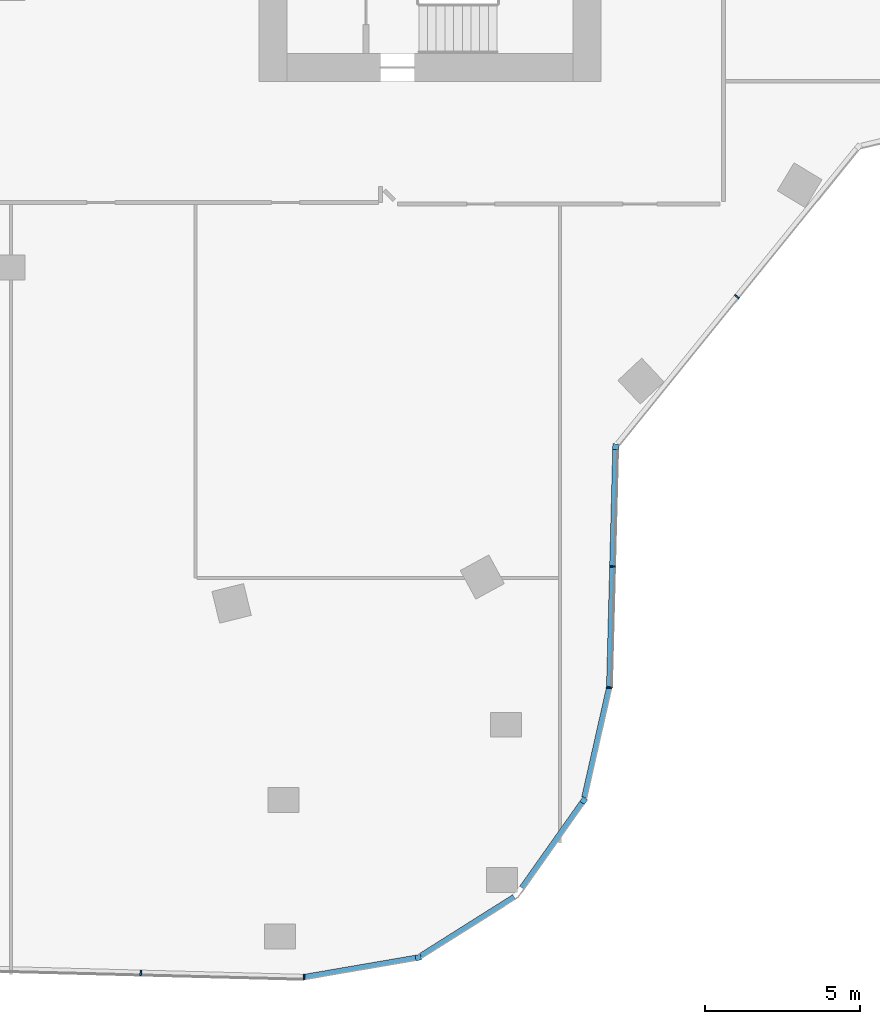
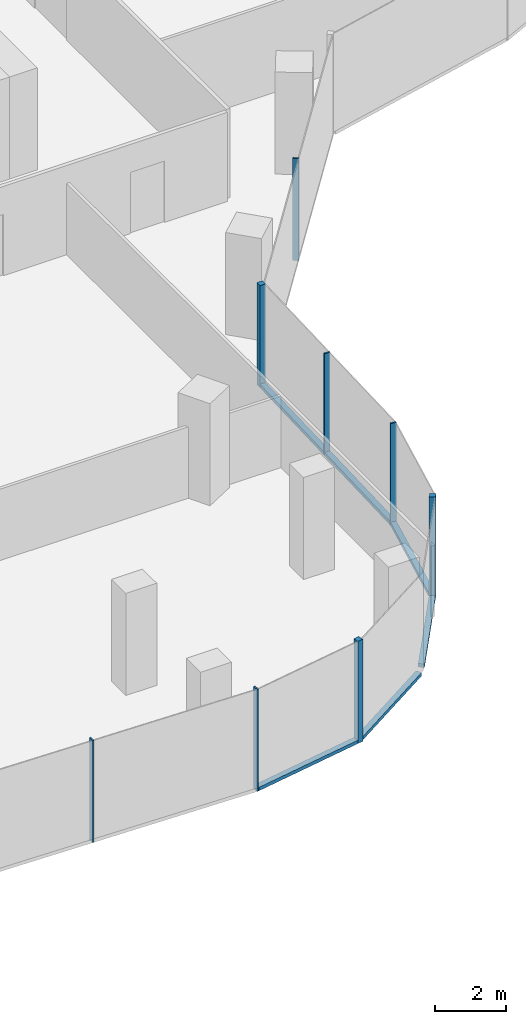
# One storey, part 5 of 23: 13 members, 7 elements without a shape of their own.
"""IFC4 building model written with IfcOpenShell, lengths in metres."""

from ifc_helpers import new_model, si_unit, direction, frame, origin, origin_2d, place, context, subcontext, project, spatial, rectangle, extrude, material, material_profile, profile_set, type_object, element, aggregate, save


model = new_model("IFC4")

# Units and contexts
model_context = context("Model", 3, precision=1e-05, world=origin(), true_north=direction((0.0, 1.0)))
body_context = subcontext(model_context, "Body", "Model", "MODEL_VIEW")
ifc_project = project(units=[si_unit("LENGTHUNIT", "METRE"), si_unit("AREAUNIT", "SQUARE_METRE"), si_unit("VOLUMEUNIT", "CUBIC_METRE"), si_unit("PLANEANGLEUNIT", "RADIAN"), si_unit("MASSUNIT", "GRAM", prefix="KILO")], contexts=[model_context])

# Site, building, storey
site_placement = place(None, origin())
site = spatial("IfcSite", under=ifc_project, at=site_placement, CompositionType="ELEMENT")
building_placement = place(site_placement, origin())
building = spatial("IfcBuilding", under=site, at=building_placement, Name="Orlundy Tower", CompositionType="ELEMENT")
storey_placement = place(building_placement, frame((0.0, 0.0, 221.0)))
storey = spatial("IfcBuildingStorey", under=building, at=storey_placement, Name="L58", CompositionType="ELEMENT", Elevation=221.0)

# Curtain wall, member
ifc_material_1 = material(Name="Aluminium bronze anodised", Category="aluminium")
curtain_wall_type = type_object("IfcCurtainWallType", Name="CW1 wall", PredefinedType="NOTDEFINED", material=ifc_material_1)
curtain_wall_1_placement = place(storey_placement, origin())
curtain_wall_1 = element("IfcCurtainWall", 1, at=curtain_wall_1_placement, inside=storey, type_object=curtain_wall_type, Name="CW1 run 018", PredefinedType="NOTDEFINED")
ifc_material_2 = material(Name="Aluminium bronze anodised", Category="aluminium")
ifc_material_profile_1 = material_profile(ifc_material_2, rectangle(XDim=0.179931640625, YDim=0.179931640625, at=origin_2d()), Name="CW1 corner post 180x180")
ifc_profile_set_1 = profile_set([ifc_material_profile_1], Name="Aluminium bronze anodised")
member_type_1 = type_object("IfcMemberType", Name="CW1 corner post 180x180", PredefinedType="MULLION", material=ifc_profile_set_1)
member_1_placement = place(storey_placement, frame((19.47412109375, -23.763916015625, -0.419921875), z_axis=(0.0, 0.0, 1.0), x_axis=(0.999659938041, -0.026076968311, 0.0)))
member_1 = element("IfcMember", 2, at=member_1_placement, type_object=member_type_1, Name="CW1 mullion 39", PredefinedType="MULLION", context=body_context, shape_type="SweptSolid", body=[
    extrude(rectangle(XDim=0.179931640625, YDim=0.179931640625, at=origin_2d()), origin(), (0.0, 0.0, 1.0), 3.5),
])

curtain_wall_2_placement = place(storey_placement, origin())
curtain_wall_2 = element("IfcCurtainWall", 3, at=curtain_wall_2_placement, inside=storey, type_object=curtain_wall_type, Name="CW1 run 020", PredefinedType="NOTDEFINED")
member_2_placement = place(storey_placement, frame((18.44775390625, -35.165283203125, -0.419921875), z_axis=(0.0, 0.0, 1.0), x_axis=(0.816548997883, -0.577276133281, 0.0)))
member_2 = element("IfcMember", 4, at=member_2_placement, type_object=member_type_1, Name="CW1 mullion 42", PredefinedType="MULLION", context=body_context, shape_type="SweptSolid", body=[
    extrude(rectangle(XDim=0.179931640625, YDim=0.179931640625, at=origin_2d()), origin(), (0.0, 0.0, 1.0), 3.5),
])

curtain_wall_3_placement = place(storey_placement, origin())
curtain_wall_3 = element("IfcCurtainWall", 5, at=curtain_wall_3_placement, inside=storey, type_object=curtain_wall_type, Name="CW1 run 022", PredefinedType="NOTDEFINED")
member_3_placement = place(storey_placement, frame((13.121826171875, -40.21875, -0.419921875), z_axis=(0.0, 0.0, 1.0), x_axis=(0.169428066085, -0.985542556373, 0.0)))
member_3 = element("IfcMember", 6, at=member_3_placement, type_object=member_type_1, Name="CW1 mullion 44", PredefinedType="MULLION", context=body_context, shape_type="SweptSolid", body=[
    extrude(rectangle(XDim=0.179931640625, YDim=0.179931640625, at=origin_2d()), origin(), (0.0, 0.0, 1.0), 3.5),
])

curtain_wall_4_placement = place(storey_placement, origin())
curtain_wall_4 = element("IfcCurtainWall", 7, at=curtain_wall_4_placement, inside=storey, type_object=curtain_wall_type, Name="CW1 run 017", PredefinedType="NOTDEFINED")
ifc_material_3 = material(Name="Aluminium bronze anodised", Category="aluminium")
ifc_material_profile_2 = material_profile(ifc_material_3, rectangle(XDim=0.179931640625, YDim=0.050048828125, at=origin_2d()), Name="CW1 mullion 50x180")
ifc_profile_set_2 = profile_set([ifc_material_profile_2], Name="Aluminium bronze anodised")
member_type_2 = type_object("IfcMemberType", Name="CW1 mullion 50x180", PredefinedType="MULLION", material=ifc_profile_set_2)
member_4_placement = place(storey_placement, frame((23.384033203125, -18.93603515625, -0.419921875), z_axis=(0.0, 0.0, 1.0), x_axis=(0.777119891969, -0.629352582823, 0.0)))
member_4 = element("IfcMember", 8, at=member_4_placement, type_object=member_type_2, Name="CW1 mullion 38", PredefinedType="MULLION", context=body_context, shape_type="SweptSolid", body=[
    extrude(rectangle(XDim=0.179931640625, YDim=0.050048828125, at=origin_2d()), origin(), (0.0, 0.0, 1.0), 3.5),
])
aggregate(curtain_wall_4, [member_4])

# Member
member_5_placement = place(storey_placement, frame((19.37353515625, -27.624267578125, -0.419921875), z_axis=(0.0, 0.0, 1.0), x_axis=(0.999659938041, -0.026076968311, 0.0)))
member_5 = element("IfcMember", 9, at=member_5_placement, type_object=member_type_2, Name="CW1 mullion 40", PredefinedType="MULLION", context=body_context, shape_type="SweptSolid", body=[
    extrude(rectangle(XDim=0.179931640625, YDim=0.050048828125, at=origin_2d()), origin(), (0.0, 0.0, 1.0), 3.5),
])

# Curtain wall, member
curtain_wall_5_placement = place(storey_placement, origin())
curtain_wall_5 = element("IfcCurtainWall", 10, at=curtain_wall_5_placement, inside=storey, type_object=curtain_wall_type, Name="CW1 run 019", PredefinedType="NOTDEFINED")
member_6_placement = place(storey_placement, frame((19.271728515625, -31.524169921875, -0.419921875), z_axis=(0.0, 0.0, 1.0), x_axis=(0.992283966435, -0.123986007099, 0.0)))
member_6 = element("IfcMember", 11, at=member_6_placement, type_object=member_type_2, Name="CW1 mullion 41", PredefinedType="MULLION", context=body_context, shape_type="SweptSolid", body=[
    extrude(rectangle(XDim=0.179931640625, YDim=0.050048828125, at=origin_2d()), origin(), (0.0, 0.0, 1.0), 3.5),
])

# Curtain wall, members
curtain_wall_6_placement = place(storey_placement, origin())
curtain_wall_6 = element("IfcCurtainWall", 12, at=curtain_wall_6_placement, inside=storey, type_object=curtain_wall_type, Name="CW1 run 023", PredefinedType="NOTDEFINED")
member_7_placement = place(storey_placement, frame((9.442626953125, -40.851318359375, -0.419921875), z_axis=(0.0, 0.0, 1.0), x_axis=(0.071965784853, -0.997407101344, 0.0)))
member_7 = element("IfcMember", 13, at=member_7_placement, type_object=member_type_2, Name="CW1 mullion 45", PredefinedType="MULLION", context=body_context, shape_type="SweptSolid", body=[
    extrude(rectangle(XDim=0.179931640625, YDim=0.050048828125, at=origin_2d()), origin(), (0.0, 0.0, 1.0), 3.5),
])
member_8_placement = place(storey_placement, frame((4.185302734375, -40.71337890625, -0.419921875), z_axis=(0.0, 0.0, 1.0), x_axis=(-0.026190222342, -0.999656977295, 0.0)))
member_8 = element("IfcMember", 14, at=member_8_placement, type_object=member_type_2, Name="CW1 mullion 46", PredefinedType="MULLION", context=body_context, shape_type="SweptSolid", body=[
    extrude(rectangle(XDim=0.179931640625, YDim=0.050048828125, at=origin_2d()), origin(), (0.0, 0.0, 1.0), 3.5),
])
aggregate(curtain_wall_6, [member_7, member_8])

# Member
ifc_material_4 = material(Name="Aluminium bronze anodised", Category="aluminium")
ifc_material_profile_3 = material_profile(ifc_material_4, rectangle(XDim=0.179931640625, YDim=0.1201171875, at=origin_2d()), Name="CW1 transom 180x120")
ifc_profile_set_3 = profile_set([ifc_material_profile_3], Name="Aluminium bronze anodised")
member_type_3 = type_object("IfcMemberType", Name="CW1 transom 180x120", PredefinedType="USERDEFINED", material=ifc_profile_set_3)
member_9_placement = place(storey_placement, frame((19.471923828125, -23.853759765625, -0.360107421875), z_axis=(-0.026080858581, -0.999659836552, 0.0), x_axis=(0.999659836552, -0.026080858581, 0.0)))
member_9 = element("IfcMember", 15, at=member_9_placement, type_object=member_type_3, Name="CW1 transom", ObjectType="TRANSOM", PredefinedType="USERDEFINED", context=body_context, shape_type="SweptSolid", body=[
    extrude(rectangle(XDim=0.179931640625, YDim=0.1201171875, at=origin_2d()), origin(), (0.0, 0.0, 1.0), 7.64794921875),
])

aggregate(curtain_wall_1, [member_1, member_5, member_9])

member_10_placement = place(storey_placement, frame((19.26611328125, -31.548828125, -0.360107421875), z_axis=(-0.220709143536, -0.975339671068, 0.0), x_axis=(0.975339671068, -0.220709143536, 0.0)))
member_10 = element("IfcMember", 16, at=member_10_placement, type_object=member_type_3, Name="CW1 transom", ObjectType="TRANSOM", PredefinedType="USERDEFINED", context=body_context, shape_type="SweptSolid", body=[
    extrude(rectangle(XDim=0.179931640625, YDim=0.1201171875, at=origin_2d()), origin(), (0.0, 0.0, 1.0), 3.610595703125),
])

aggregate(curtain_wall_5, [member_6, member_10])

member_11_placement = place(storey_placement, frame((18.395751953125, -35.23876953125, -0.360107421875), z_axis=(-0.577269314275, -0.816553818678, 0.0), x_axis=(0.816553818678, -0.577269314275, 0.0)))
member_11 = element("IfcMember", 17, at=member_11_placement, type_object=member_type_3, Name="CW1 transom", ObjectType="TRANSOM", PredefinedType="USERDEFINED", context=body_context, shape_type="SweptSolid", body=[
    extrude(rectangle(XDim=0.179931640625, YDim=0.1201171875, at=origin_2d()), origin(), (0.0, 0.0, 1.0), 3.3515625),
])

aggregate(curtain_wall_2, [member_2, member_11])

# Curtain wall, member
curtain_wall_7_placement = place(storey_placement, origin())
curtain_wall_7 = element("IfcCurtainWall", 18, at=curtain_wall_7_placement, inside=storey, type_object=curtain_wall_type, Name="CW1 run 021", PredefinedType="NOTDEFINED")
member_12_placement = place(storey_placement, frame((16.21044921875, -38.27001953125, -0.360107421875), z_axis=(-0.845725479205, -0.533618228534, 0.0), x_axis=(0.533618228534, -0.845725479205, 0.0)))
member_12 = element("IfcMember", 19, at=member_12_placement, type_object=member_type_3, Name="CW1 transom", ObjectType="TRANSOM", PredefinedType="USERDEFINED", context=body_context, shape_type="SweptSolid", body=[
    extrude(rectangle(XDim=0.179931640625, YDim=0.1201171875, at=origin_2d()), origin(), (0.0, 0.0, 1.0), 3.554443359375),
])
aggregate(curtain_wall_7, [member_12])

# Member
member_13_placement = place(storey_placement, frame((13.033203125, -40.23388671875, -0.360107421875), z_axis=(-0.985542201678, -0.16943012929, 0.0), x_axis=(0.16943012929, -0.985542201678, 0.0)))
member_13 = element("IfcMember", 20, at=member_13_placement, type_object=member_type_3, Name="CW1 transom", ObjectType="TRANSOM", PredefinedType="USERDEFINED", context=body_context, shape_type="SweptSolid", body=[
    extrude(rectangle(XDim=0.179931640625, YDim=0.1201171875, at=origin_2d()), origin(), (0.0, 0.0, 1.0), 3.6181640625),
])

aggregate(curtain_wall_3, [member_3, member_13])

save(model, "model.ifc")
